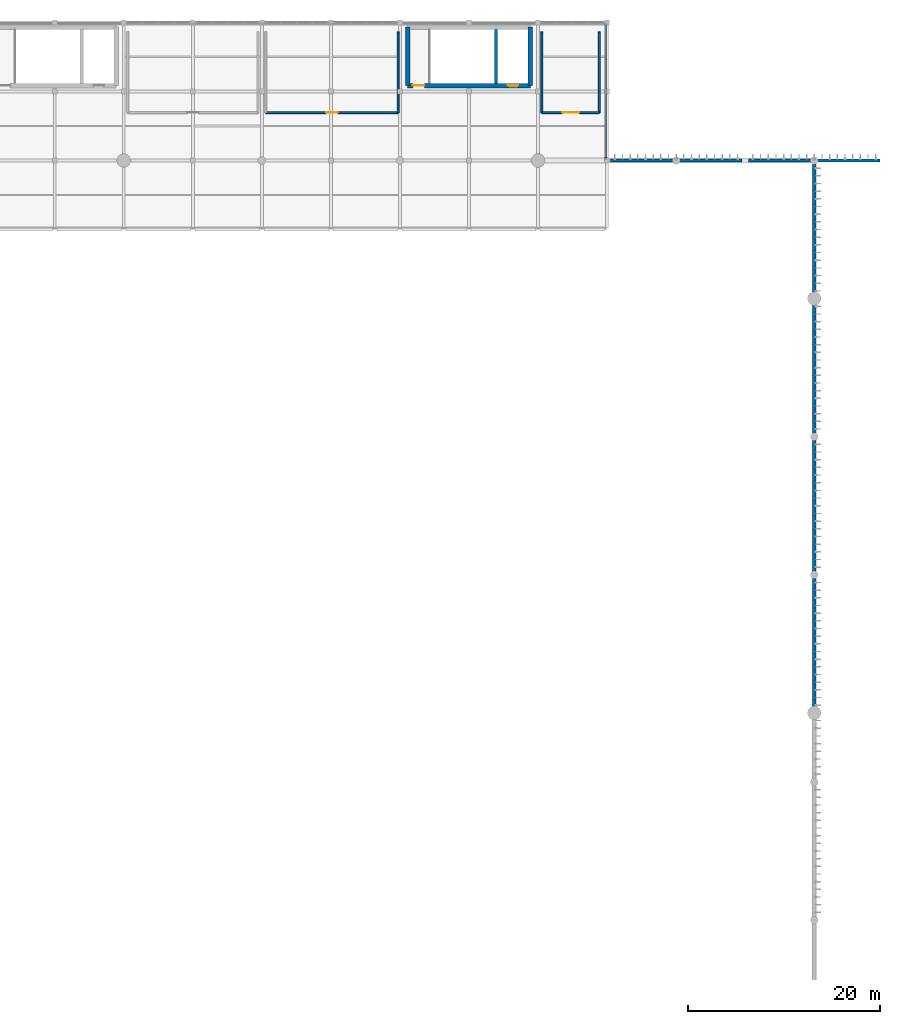
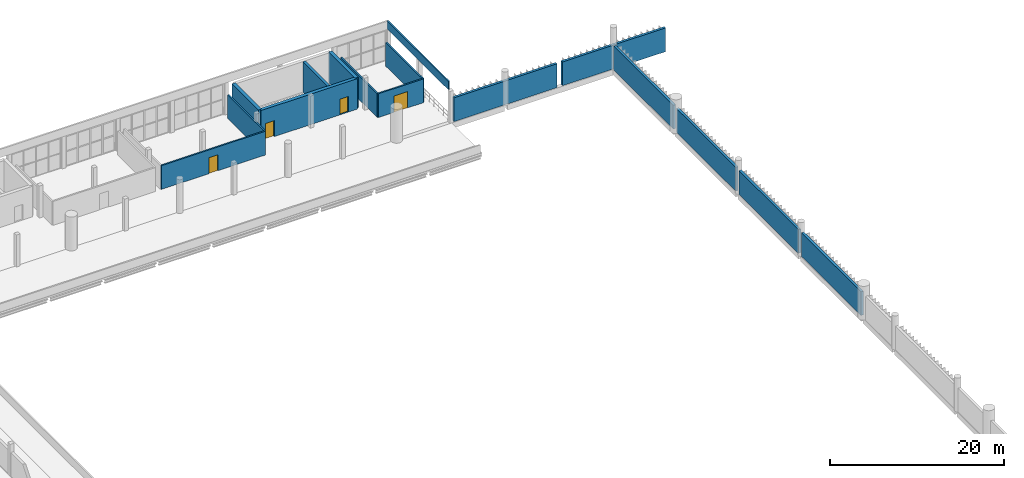
# One storey, part 48 of 64: 16 walls, 4 doors, 4 openings.
"""IFC4 building model written with IfcOpenShell, lengths in metres."""

from ifc_helpers import new_model, si_unit, direction, frame, frame_2d, origin, place, context, subcontext, project, spatial, rectangle, extrude, material, layer, layer_set, type_object, element, fill, save


model = new_model("IFC4")

# Units and contexts
model_context = context("Model", 3, precision=1e-05, world=origin(), true_north=direction((0.0, 1.0)))
body_context = subcontext(model_context, "Body", "Model", "MODEL_VIEW")
ifc_project = project(units=[si_unit("LENGTHUNIT", "METRE"), si_unit("AREAUNIT", "SQUARE_METRE"), si_unit("VOLUMEUNIT", "CUBIC_METRE"), si_unit("PLANEANGLEUNIT", "RADIAN"), si_unit("MASSUNIT", "GRAM", prefix="KILO")], contexts=[model_context])

# Site, building, storey
site_placement = place(None, origin())
site = spatial("IfcSite", under=ifc_project, at=site_placement, CompositionType="ELEMENT")
building_placement = place(site_placement, origin())
building = spatial("IfcBuilding", under=site, at=building_placement, Name="Qandorah Velis Arena", CompositionType="ELEMENT")
storey_placement = place(building_placement, frame((0.0, 0.0, 23.0)))
storey = spatial("IfcBuildingStorey", under=building, at=storey_placement, Name="L05", CompositionType="ELEMENT", Elevation=23.0)

# Walls
ifc_material_1 = material(Name="Precast concrete C40/50", Category="concrete")
ifc_layer_1 = layer(ifc_material_1, 0.320068359375)
ifc_layer_set_1 = layer_set([ifc_layer_1], Name="Precast concrete C40/50")
wall_type_1 = type_object("IfcWallType", Name="ARC-WAL-BOWL320", PredefinedType="SOLIDWALL", material=ifc_layer_set_1)
for number, where, z_axis, x_axis, name in (
    (1, (115.199951171875, 57.949951171875, 0.0), (0.0, 0.0, 1.0), (0.0, 1.0, 0.0), "Arena bowl acoustic drum wall 2.5 (L05)"),
    (2, (115.199951171875, 72.35009765625, 0.0), (0.0, 0.0, 1.0), (0.0, 1.0, 0.0), "Arena bowl acoustic drum wall 2.6 (L05)"),
    (3, (115.199951171875, 86.75, 0.0), (0.0, 0.0, 1.0), (0.0, 1.0, 0.0), "Arena bowl acoustic drum wall 2.7 (L05)"),
):
    element("IfcWall", number, at=place(storey_placement, frame(where, z_axis=z_axis, x_axis=x_axis)), inside=storey, type_object=wall_type_1, Name=name, PredefinedType="SOLIDWALL", context=body_context, shape_type="SweptSolid", body=[
        extrude(rectangle(XDim=13.699951171875, YDim=0.320068359375, at=frame_2d((6.85009765625, 0.0))), origin(), (0.0, 0.0, 1.0), 3.340087890625),
    ])
wall_1_placement = place(storey_placement, frame((115.199951171875, 101.14990234375, 0.0), z_axis=(0.0, 0.0, 1.0), x_axis=(0.0, 1.0, 0.0)))
element("IfcWall", 4, at=wall_1_placement, inside=storey, type_object=wall_type_1, Name="Arena bowl acoustic drum wall 2.8 (L05)", PredefinedType="SOLIDWALL", context=body_context, shape_type="SweptSolid", body=[
    extrude(rectangle(XDim=13.7001953125, YDim=0.320068359375, at=frame_2d((6.85009765625, 0.0))), origin(), (0.0, 0.0, 1.0), 3.340087890625),
])
for number, where, z_axis, x_axis, name in (
    (5, (93.949951171875, 115.199951171875, 0.0), (0.0, 0.0, 1.0), (1.0, 0.0, 0.0), "Arena bowl acoustic drum wall 4.1 (L05)"),
    (6, (108.35009765625, 115.199951171875, 0.0), (0.0, 0.0, 1.0), (1.0, 0.0, 0.0), "Arena bowl acoustic drum wall 4.2 (L05)"),
):
    element("IfcWall", number, at=place(storey_placement, frame(where, z_axis=z_axis, x_axis=x_axis)), inside=storey, type_object=wall_type_1, Name=name, PredefinedType="SOLIDWALL", context=body_context, shape_type="SweptSolid", body=[
        extrude(rectangle(XDim=13.699951171875, YDim=0.320068359375, at=frame_2d((6.85009765625, 0.0))), origin(), (0.0, 0.0, 1.0), 3.340087890625),
    ])

# Wall, opening, door
ifc_material_2 = material(Name="Concrete C35/45", Category="concrete")
ifc_layer_2 = layer(ifc_material_2, 0.199951171875)
ifc_layer_set_2 = layer_set([ifc_layer_2], Name="Concrete C35/45")
wall_type_2 = type_object("IfcWallType", Name="ARC-WAL-FD60-200", PredefinedType="PARTITIONING", material=ifc_layer_set_2)
wall_2_placement = place(storey_placement, frame((58.0, 120.199951171875, 0.0), z_axis=(0.0, 0.0, 1.0), x_axis=(1.0, 0.0, 0.0)))
wall_2 = element("IfcWall", 7, at=wall_2_placement, inside=storey, type_object=wall_type_2, Name="Interior partition L05-SCR-CTL (S)", PredefinedType="PARTITIONING", context=body_context, shape_type="SweptSolid", body=[
    extrude(rectangle(XDim=13.800048828125, YDim=0.199951171875, at=frame_2d((6.89990234375, 0.0))), origin(), (0.0, 0.0, 1.0), 3.340087890625),
])
opening_1_placement = place(wall_2_placement, frame((6.300048828125, 0.0, 0.0)))
opening_1 = element("IfcOpeningElement", 8, at=opening_1_placement, cuts=wall_2, Name="Opening FD2", PredefinedType="OPENING", context=body_context, shape_type="SweptSolid", body=[
    extrude(rectangle(XDim=1.199951171875, YDim=2.25, at=frame_2d((0.60009765625, 1.125))), frame((0.0, 0.10986328125, 0.0), z_axis=(0.0, -1.0, 0.0), x_axis=(1.0, 0.0, 0.0)), (0.0, 0.0, 1.0), 0.219970703125),
])
ifc_material_3 = material(Name="Insulated fire-rated single steel door", Category="steel")
door_type_1 = type_object("IfcDoorType", Name="ARC-DR-FD1200", OperationType="NOTDEFINED", PredefinedType="DOOR", material=ifc_material_3)
door_1_placement = place(opening_1_placement, origin())
door_1 = element("IfcDoor", 9, at=door_1_placement, inside=storey, type_object=door_type_1, Name="Door L05-SCR-CTL", OperationType="SINGLE_SWING_LEFT", OverallHeight=2.25, OverallWidth=1.199951171875, PredefinedType="DOOR", context=body_context, shape_type="SweptSolid", body=[
    extrude(rectangle(XDim=1.199951171875, YDim=2.25, at=frame_2d((0.60009765625, 1.125))), frame((0.0, 0.02490234375, 0.0), z_axis=(0.0, -1.0, 0.0), x_axis=(1.0, 0.0, 0.0)), (0.0, 0.0, 1.0), 0.050048828125),
])
fill(opening_1, door_1)

# Wall
wall_3_placement = place(storey_placement, frame((71.800048828125, 120.199951171875, 0.0), z_axis=(0.0, 0.0, 1.0), x_axis=(0.0, 1.0, 0.0)))
element("IfcWall", 10, at=wall_3_placement, inside=storey, type_object=wall_type_2, Name="Interior partition L05-SCR-CTL (E)", PredefinedType="PARTITIONING", context=body_context, shape_type="SweptSolid", body=[
    extrude(rectangle(XDim=8.400146484375, YDim=0.199951171875, at=frame_2d((4.2001953125, 0.0))), origin(), (0.0, 0.0, 1.0), 3.340087890625),
])

# Wall, opening, door
wall_4_placement = place(storey_placement, frame((86.800048828125, 120.199951171875, 0.0), z_axis=(0.0, 0.0, 1.0), x_axis=(1.0, 0.0, 0.0)))
wall_4 = element("IfcWall", 11, at=wall_4_placement, inside=storey, type_object=wall_type_2, Name="Interior partition L05-SMK-N (S)", PredefinedType="PARTITIONING", context=body_context, shape_type="SweptSolid", body=[
    extrude(rectangle(XDim=6.0, YDim=0.199951171875, at=frame_2d((3.0, 0.0))), origin(), (0.0, 0.0, 1.0), 3.340087890625),
])
opening_2_placement = place(wall_4_placement, frame((2.10009765625, 0.0, 0.0)))
opening_2 = element("IfcOpeningElement", 12, at=opening_2_placement, cuts=wall_4, Name="Opening FD1", PredefinedType="OPENING", context=body_context, shape_type="SweptSolid", body=[
    extrude(rectangle(XDim=1.800048828125, YDim=2.300048828125, at=frame_2d((0.89990234375, 1.14990234375))), frame((0.0, 0.10986328125, 0.0), z_axis=(0.0, -1.0, 0.0), x_axis=(1.0, 0.0, 0.0)), (0.0, 0.0, 1.0), 0.219970703125),
])
ifc_material_4 = material(Name="Insulated fire-rated double steel door", Category="steel")
door_type_2 = type_object("IfcDoorType", Name="ARC-DR-FD1800", OperationType="NOTDEFINED", PredefinedType="DOOR", material=ifc_material_4)
door_2_placement = place(opening_2_placement, frame((1.800048828125, 0.0, 0.0), z_axis=(0.0, 0.0, 1.0), x_axis=(-1.0, 0.0, 0.0)))
door_2 = element("IfcDoor", 13, at=door_2_placement, inside=storey, type_object=door_type_2, Name="Door L05-SMK-N", OperationType="DOUBLE_DOOR_SINGLE_SWING", OverallHeight=2.300048828125, OverallWidth=1.800048828125, PredefinedType="DOOR", context=body_context, shape_type="SweptSolid", body=[
    extrude(rectangle(XDim=1.800048828125, YDim=2.300048828125, at=frame_2d((0.89990234375, 1.14990234375))), frame((0.0, 0.02490234375, 0.0), z_axis=(0.0, -1.0, 0.0), x_axis=(1.0, 0.0, 0.0)), (0.0, 0.0, 1.0), 0.050048828125),
])
fill(opening_2, door_2)

# Walls
for number, where, z_axis, x_axis, name in (
    (14, (92.800048828125, 120.199951171875, 0.0), (0.0, 0.0, 1.0), (0.0, 1.0, 0.0), "Interior partition L05-SMK-N (E)"),
    (15, (86.800048828125, 128.60009765625, 0.0), (0.0, 0.0, 1.0), (0.0, -1.0, 0.0), "Interior partition L05-SMK-N (W)"),
):
    element("IfcWall", number, at=place(storey_placement, frame(where, z_axis=z_axis, x_axis=x_axis)), inside=storey, type_object=wall_type_2, Name=name, PredefinedType="PARTITIONING", context=body_context, shape_type="SweptSolid", body=[
        extrude(rectangle(XDim=8.400146484375, YDim=0.199951171875, at=frame_2d((4.2001953125, 0.0))), origin(), (0.0, 0.0, 1.0), 3.340087890625),
    ])
ifc_layer_3 = layer(ifc_material_1, 0.179931640625)
ifc_layer_set_3 = layer_set([ifc_layer_3], Name="Precast concrete C40/50")
wall_type_3 = type_object("IfcWallType", Name="ARC-WAL-PAR180", PredefinedType="PARAPET", material=ifc_layer_set_3)
wall_5_placement = place(storey_placement, frame((93.449951171875, 115.35009765625, 4.5), z_axis=(0.0, 0.0, 1.0), x_axis=(0.0, 1.0, 0.0)))
element("IfcWall", 16, at=wall_5_placement, inside=storey, type_object=wall_type_3, Name="Roof perimeter parapet wall PW-05", PredefinedType="PARAPET", context=body_context, shape_type="SweptSolid", body=[
    extrude(rectangle(XDim=14.099853515625, YDim=0.179931640625, at=frame_2d((7.0498046875, 0.0))), origin(), (0.0, 0.0, 1.0), 1.14990234375),
])

# Wall, openings, doors
ifc_material_5 = material(Name="Concrete C40/50", Category="concrete")
ifc_layer_4 = layer(ifc_material_5, 0.449951171875)
ifc_layer_set_4 = layer_set([ifc_layer_4], Name="Concrete C40/50")
wall_type_4 = type_object("IfcWallType", Name="STR-WAL-CORE450", PredefinedType="SHEAR", material=ifc_layer_set_4)
wall_6_placement = place(storey_placement, frame((72.800048828125, 123.0, 0.0), z_axis=(0.0, 0.0, 1.0), x_axis=(1.0, 0.0, 0.0)))
wall_6 = element("IfcWall", 17, at=wall_6_placement, inside=storey, type_object=wall_type_4, Name="Core CORE-04 shear wall S (L05)", PredefinedType="SHEAR", context=body_context, shape_type="SweptSolid", body=[
    extrude(rectangle(XDim=12.800048828125, YDim=0.449951171875, at=frame_2d((6.39990234375, 0.0))), origin(), (0.0, 0.0, 1.0), 4.280029296875),
])
opening_3_placement = place(wall_6_placement, frame((0.550048828125, 0.0, 0.0)))
opening_3 = element("IfcOpeningElement", 18, at=opening_3_placement, cuts=wall_6, Name="Opening SD1", PredefinedType="OPENING", context=body_context, shape_type="SweptSolid", body=[
    extrude(rectangle(XDim=1.199951171875, YDim=2.25, at=frame_2d((0.60009765625, 1.125))), frame((0.0, 0.23486328125, 0.0), z_axis=(0.0, -1.0, 0.0), x_axis=(1.0, 0.0, 0.0)), (0.0, 0.0, 1.0), 0.469970703125),
])
opening_4_placement = place(wall_6_placement, frame((10.4580078125, 0.0, 0.0)))
opening_4 = element("IfcOpeningElement", 19, at=opening_4_placement, cuts=wall_6, Name="Opening LD1", PredefinedType="OPENING", context=body_context, shape_type="SweptSolid", body=[
    extrude(rectangle(XDim=1.10009765625, YDim=2.199951171875, at=frame_2d((0.550048828125, 1.10009765625))), frame((0.0, 0.23486328125, 0.0), z_axis=(0.0, -1.0, 0.0), x_axis=(1.0, 0.0, 0.0)), (0.0, 0.0, 1.0), 0.469970703125),
])
ifc_material_6 = material(Name="Stainless steel sliding lift landing door", Category="steel")
door_type_3 = type_object("IfcDoorType", Name="ARC-DR-LD1100", OperationType="NOTDEFINED", PredefinedType="DOOR", material=ifc_material_6)
door_3_placement = place(opening_4_placement, origin())
door_3 = element("IfcDoor", 20, at=door_3_placement, inside=storey, type_object=door_type_3, Name="Lift PL2 sliding landing door (L05)", OperationType="SLIDING_TO_LEFT", OverallHeight=2.199951171875, OverallWidth=1.10009765625, PredefinedType="DOOR", context=body_context, shape_type="SweptSolid", body=[
    extrude(rectangle(XDim=1.10009765625, YDim=2.199951171875, at=frame_2d((0.550048828125, 1.10009765625))), frame((0.0, 0.02490234375, 0.0), z_axis=(0.0, -1.0, 0.0), x_axis=(1.0, 0.0, 0.0)), (0.0, 0.0, 1.0), 0.050048828125),
])
fill(opening_4, door_3)
ifc_material_7 = material(Name="Self-closing fire-rated stair steel door", Category="steel")
door_type_4 = type_object("IfcDoorType", Name="ARC-DR-ST1200", OperationType="NOTDEFINED", PredefinedType="DOOR", material=ifc_material_7)
door_4_placement = place(opening_3_placement, origin())
door_4 = element("IfcDoor", 21, at=door_4_placement, inside=storey, type_object=door_type_4, Name="Stair ST4 fire door (L05)", OperationType="SINGLE_SWING_LEFT", OverallHeight=2.25, OverallWidth=1.199951171875, PredefinedType="DOOR", context=body_context, shape_type="SweptSolid", body=[
    extrude(rectangle(XDim=1.199951171875, YDim=2.25, at=frame_2d((0.60009765625, 1.125))), frame((0.0, 0.02490234375, 0.0), z_axis=(0.0, -1.0, 0.0), x_axis=(1.0, 0.0, 0.0)), (0.0, 0.0, 1.0), 0.050048828125),
])
fill(opening_3, door_4)

# Walls
for number, where, z_axis, x_axis, name in (
    (22, (72.800048828125, 123.0, 0.0), (0.0, 0.0, 1.0), (0.0, 1.0, 0.0), "Core CORE-04 shear wall W (L05)"),
    (23, (85.60009765625, 123.0, 0.0), (0.0, 0.0, 1.0), (0.0, 1.0, 0.0), "Core CORE-04 shear wall E (L05)"),
):
    element("IfcWall", number, at=place(storey_placement, frame(where, z_axis=z_axis, x_axis=x_axis)), inside=storey, type_object=wall_type_4, Name=name, PredefinedType="SHEAR", context=body_context, shape_type="SweptSolid", body=[
        extrude(rectangle(XDim=6.10009765625, YDim=0.449951171875, at=frame_2d((3.050048828125, 0.0))), origin(), (0.0, 0.0, 1.0), 4.280029296875),
    ])
ifc_layer_5 = layer(ifc_material_5, 0.35009765625)
ifc_layer_set_5 = layer_set([ifc_layer_5], Name="Concrete C40/50")
wall_type_5 = type_object("IfcWallType", Name="STR-WAL-SH350", PredefinedType="SHEAR", material=ifc_layer_set_5)
wall_7_placement = place(storey_placement, frame((82.01611328125, 123.22509765625, 0.0), z_axis=(0.0, 0.0, 1.0), x_axis=(0.0, 1.0, 0.0)))
element("IfcWall", 24, at=wall_7_placement, inside=storey, type_object=wall_type_5, Name="Core CORE-04 shaft divider shear wall (L05)", PredefinedType="SHEAR", context=body_context, shape_type="SweptSolid", body=[
    extrude(rectangle(XDim=5.64990234375, YDim=0.35009765625, at=frame_2d((2.824951171875, 0.0))), origin(), (0.0, 0.0, 1.0), 4.280029296875),
])

save(model, "model.ifc")
